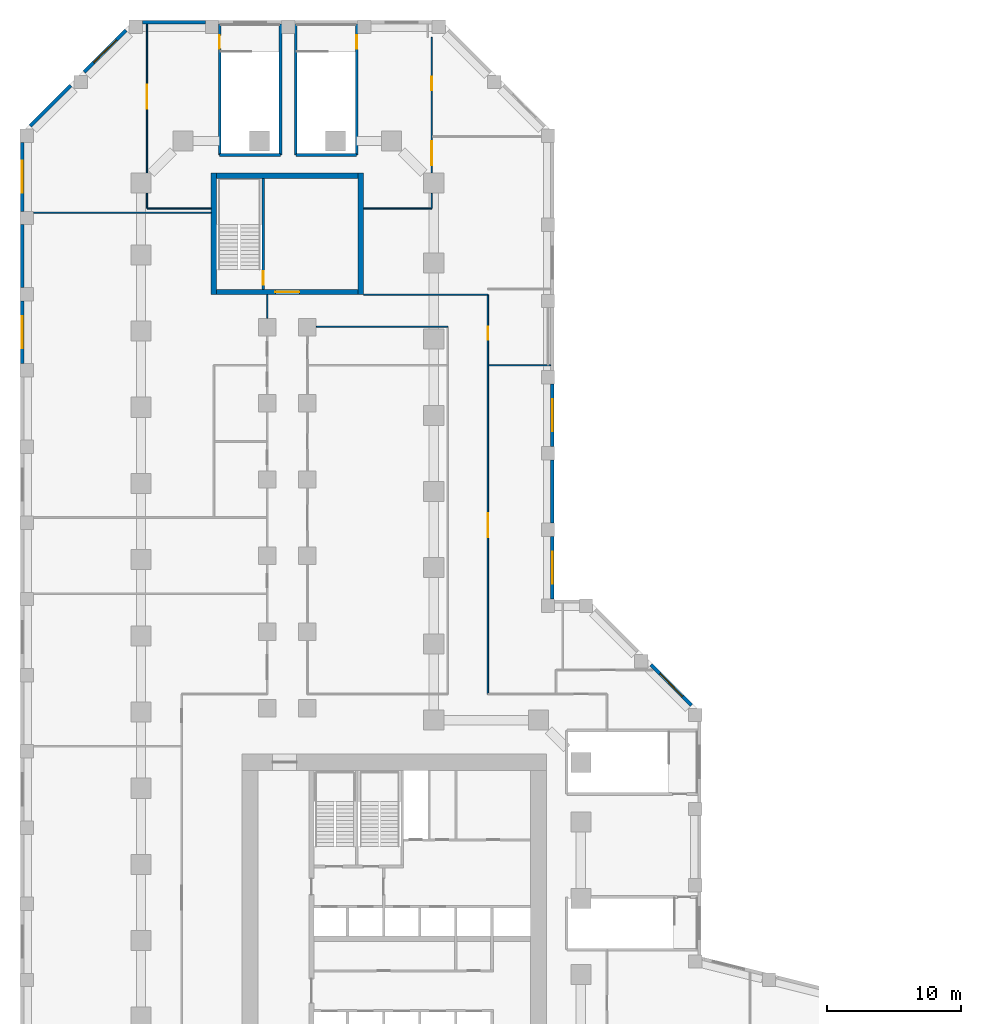
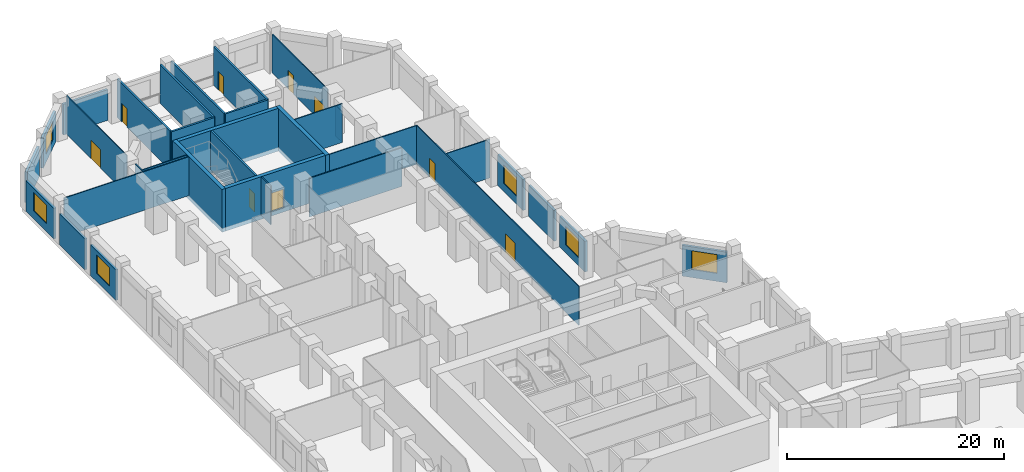
# One storey, part 10 of 13: 33 walls, 9 doors, 6 windows, 15 openings.
"""IFC4 building model written with IfcOpenShell, lengths in metres."""

from ifc_helpers import new_model, si_unit, direction, frame, frame_2d, origin, place, context, subcontext, project, spatial, rectangle, extrude, material, layer, layer_set, type_object, element, fill, save


model = new_model("IFC4")

# Units and contexts
model_context = context("Model", 3, precision=1e-05, world=origin(), true_north=direction((0.0, 1.0)))
body_context = subcontext(model_context, "Body", "Model", "MODEL_VIEW")
ifc_project = project(units=[si_unit("LENGTHUNIT", "METRE"), si_unit("AREAUNIT", "SQUARE_METRE"), si_unit("VOLUMEUNIT", "CUBIC_METRE"), si_unit("PLANEANGLEUNIT", "RADIAN"), si_unit("MASSUNIT", "GRAM", prefix="KILO")], contexts=[model_context])

# Site, building, storey
site_placement = place(None, origin())
site = spatial("IfcSite", under=ifc_project, at=site_placement, CompositionType="ELEMENT")
building_placement = place(site_placement, origin())
building = spatial("IfcBuilding", under=site, at=building_placement, Name="Meshkara Civic Tower", CompositionType="ELEMENT")
storey_placement = place(building_placement, frame((0.0, 0.0, 28.199951171875)))
storey = spatial("IfcBuildingStorey", under=building, at=storey_placement, Name="L05", CompositionType="ELEMENT", Elevation=28.199951171875)

# Walls
ifc_material_1 = material(Name="Corridor wall 100")
ifc_layer_1 = layer(ifc_material_1, 0.10009765625)
ifc_layer_set_1 = layer_set([ifc_layer_1], Name="Corridor wall 100")
wall_type_1 = type_object("IfcWallType", Name="Corridor wall 100", PredefinedType="PARTITIONING", material=ifc_layer_set_1)
wall_1_placement = place(storey_placement, frame((0.89990234375, 77.719970703125, 0.0), z_axis=(0.0, 0.0, 1.0), x_axis=(1.0, 0.0, 0.0)))
element("IfcWall", 1, at=wall_1_placement, inside=storey, type_object=wall_type_1, Name="L05-R002", PredefinedType="PARTITIONING", context=body_context, shape_type="SweptSolid", body=[
    extrude(rectangle(XDim=4.800048828125, YDim=0.10009765625, at=frame_2d((2.39990234375, 0.0))), origin(), (0.0, 0.0, 1.0), 4.35009765625),
])
wall_2_placement = place(storey_placement, frame((0.89990234375, 78.843994140625, 0.0), z_axis=(0.0, 0.0, 1.0), x_axis=(0.0, -1.0, 0.0)))
element("IfcWall", 2, at=wall_2_placement, inside=storey, type_object=wall_type_1, Name="L05-R003", PredefinedType="PARTITIONING", context=body_context, shape_type="SweptSolid", body=[
    extrude(rectangle(XDim=1.1240234375, YDim=0.10009765625, at=frame_2d((0.56201171875, 0.0))), origin(), (0.0, 0.0, 1.0), 4.35009765625),
])

# Wall, opening, door
wall_3_placement = place(storey_placement, frame((0.89990234375, 91.52001953125, 0.0), z_axis=(0.0, 0.0, 1.0), x_axis=(0.0, -1.0, 0.0)))
wall_3 = element("IfcWall", 3, at=wall_3_placement, inside=storey, type_object=wall_type_1, Name="L05-R004", PredefinedType="PARTITIONING", context=body_context, shape_type="SweptSolid", body=[
    extrude(rectangle(XDim=11.135986328125, YDim=0.10009765625, at=frame_2d((5.56787109375, 0.0))), origin(), (0.0, 0.0, 1.0), 4.35009765625),
])
opening_1_placement = place(wall_3_placement, frame((4.530029296875, 0.0, 0.0)))
opening_1 = element("IfcOpeningElement", 4, at=opening_1_placement, cuts=wall_3, Name="Opening L05-P040", PredefinedType="OPENING", context=body_context, shape_type="SweptSolid", body=[
    extrude(rectangle(XDim=1.800048828125, YDim=2.10009765625, at=frame_2d((0.89990234375, 1.050048828125))), frame((0.0, 0.06005859375, 0.0), z_axis=(0.0, -1.0, 0.0), x_axis=(1.0, 0.0, 0.0)), (0.0, 0.0, 1.0), 0.1201171875),
])
ifc_material_2 = material(Name="Door pair 1800 x 2100")
door_type_1 = type_object("IfcDoorType", Name="Door pair 1800 x 2100", OperationType="SINGLE_SWING_LEFT", PredefinedType="DOOR", material=ifc_material_2)
door_1_placement = place(opening_1_placement, origin())
door_1 = element("IfcDoor", 5, at=door_1_placement, inside=storey, type_object=door_type_1, Name="L05-P040", OperationType="DOUBLE_DOOR_SINGLE_SWING", OverallHeight=2.10009765625, OverallWidth=1.800048828125, PredefinedType="DOOR", context=body_context, shape_type="SweptSolid", body=[
    extrude(rectangle(XDim=1.800048828125, YDim=2.10009765625, at=frame_2d((0.89990234375, 1.050048828125))), frame((0.0, 0.02490234375, 0.0), z_axis=(0.0, -1.0, 0.0), x_axis=(1.0, 0.0, 0.0)), (0.0, 0.0, 1.0), 0.050048828125),
])
fill(opening_1, door_1)

# Walls
wall_4_placement = place(storey_placement, frame((9.89990234375, 71.27001953125, 0.0), z_axis=(0.0, 0.0, 1.0), x_axis=(0.0, -1.0, 0.0)))
element("IfcWall", 6, at=wall_4_placement, inside=storey, type_object=wall_type_1, Name="L05-R017", PredefinedType="PARTITIONING", context=body_context, shape_type="SweptSolid", body=[
    extrude(rectangle(XDim=1.75, YDim=0.10009765625, at=frame_2d((0.875, 0.0))), origin(), (0.0, 0.0, 1.0), 4.35009765625),
])
wall_5_placement = place(storey_placement, frame((13.570068359375, 68.8701171875, 0.0), z_axis=(0.0, 0.0, 1.0), x_axis=(1.0, 0.0, 0.0)))
element("IfcWall", 7, at=wall_5_placement, inside=storey, type_object=wall_type_1, Name="L05-R028", PredefinedType="PARTITIONING", context=body_context, shape_type="SweptSolid", body=[
    extrude(rectangle(XDim=9.829833984375, YDim=0.10009765625, at=frame_2d((4.9150390625, 0.0))), origin(), (0.0, 0.0, 1.0), 4.35009765625),
])
wall_6_placement = place(storey_placement, frame((17.10009765625, 77.719970703125, 0.0), z_axis=(0.0, 0.0, 1.0), x_axis=(1.0, 0.0, 0.0)))
element("IfcWall", 8, at=wall_6_placement, inside=storey, type_object=wall_type_1, Name="L05-R031", PredefinedType="PARTITIONING", context=body_context, shape_type="SweptSolid", body=[
    extrude(rectangle(XDim=5.099853515625, YDim=0.10009765625, at=frame_2d((2.5498046875, 0.0))), origin(), (0.0, 0.0, 1.0), 4.35009765625),
])
wall_7_placement = place(storey_placement, frame((22.199951171875, 77.719970703125, 0.0), z_axis=(0.0, 0.0, 1.0), x_axis=(0.0, 1.0, 0.0)))
element("IfcWall", 9, at=wall_7_placement, inside=storey, type_object=wall_type_1, Name="L05-R034", PredefinedType="PARTITIONING", context=body_context, shape_type="SweptSolid", body=[
    extrude(rectangle(XDim=1.1240234375, YDim=0.10009765625, at=frame_2d((0.56201171875, 0.0))), origin(), (0.0, 0.0, 1.0), 3.449951171875),
])

# Wall, openings, doors
wall_8_placement = place(storey_placement, frame((22.199951171875, 80.384033203125, 0.0), z_axis=(0.0, 0.0, 1.0), x_axis=(0.0, 1.0, 0.0)))
wall_8 = element("IfcWall", 10, at=wall_8_placement, inside=storey, type_object=wall_type_1, Name="L05-R035", PredefinedType="PARTITIONING", context=body_context, shape_type="SweptSolid", body=[
    extrude(rectangle(XDim=10.135986328125, YDim=0.10009765625, at=frame_2d((5.06787109375, 0.0))), origin(), (0.0, 0.0, 1.0), 4.35009765625),
])
opening_2_placement = place(wall_8_placement, frame((0.580078125, 0.0, 0.0)))
opening_2 = element("IfcOpeningElement", 11, at=opening_2_placement, cuts=wall_8, Name="Opening L05-P039", PredefinedType="OPENING", context=body_context, shape_type="SweptSolid", body=[
    extrude(rectangle(XDim=1.800048828125, YDim=2.10009765625, at=frame_2d((0.89990234375, 1.050048828125))), frame((0.0, 0.06005859375, 0.0), z_axis=(0.0, -1.0, 0.0), x_axis=(1.0, 0.0, 0.0)), (0.0, 0.0, 1.0), 0.1201171875),
])
opening_3_placement = place(wall_8_placement, frame((6.196044921875, 0.0, 0.0)))
opening_3 = element("IfcOpeningElement", 12, at=opening_3_placement, cuts=wall_8, Name="Opening L05-P041", PredefinedType="OPENING", context=body_context, shape_type="SweptSolid", body=[
    extrude(rectangle(XDim=1.0, YDim=2.10009765625, at=frame_2d((0.5, 1.050048828125))), frame((0.0, 0.06005859375, 0.0), z_axis=(0.0, -1.0, 0.0), x_axis=(1.0, 0.0, 0.0)), (0.0, 0.0, 1.0), 0.1201171875),
])
ifc_material_3 = material(Name="Door 1000 x 2100")
door_type_2 = type_object("IfcDoorType", Name="Door 1000 x 2100", OperationType="SINGLE_SWING_LEFT", PredefinedType="DOOR", material=ifc_material_3)
door_2_placement = place(opening_3_placement, origin())
door_2 = element("IfcDoor", 13, at=door_2_placement, inside=storey, type_object=door_type_2, Name="L05-P041", OperationType="SINGLE_SWING_RIGHT", OverallHeight=2.10009765625, OverallWidth=1.0, PredefinedType="DOOR", context=body_context, shape_type="SweptSolid", body=[
    extrude(rectangle(XDim=1.0, YDim=2.10009765625, at=frame_2d((0.5, 1.050048828125))), frame((0.0, 0.02490234375, 0.0), z_axis=(0.0, -1.0, 0.0), x_axis=(1.0, 0.0, 0.0)), (0.0, 0.0, 1.0), 0.050048828125),
])
fill(opening_3, door_2)
door_3_placement = place(opening_2_placement, origin())
door_3 = element("IfcDoor", 14, at=door_3_placement, inside=storey, type_object=door_type_1, Name="L05-P039", OperationType="DOUBLE_DOOR_SINGLE_SWING", OverallHeight=2.10009765625, OverallWidth=1.800048828125, PredefinedType="DOOR", context=body_context, shape_type="SweptSolid", body=[
    extrude(rectangle(XDim=1.800048828125, YDim=2.10009765625, at=frame_2d((0.89990234375, 1.050048828125))), frame((0.0, 0.02490234375, 0.0), z_axis=(0.0, -1.0, 0.0), x_axis=(1.0, 0.0, 0.0)), (0.0, 0.0, 1.0), 0.050048828125),
])
fill(opening_2, door_3)

# Wall
wall_9_placement = place(storey_placement, frame((26.39990234375, 71.27001953125, 0.0), z_axis=(0.0, 0.0, 1.0), x_axis=(-1.0, 0.0, 0.0)))
element("IfcWall", 15, at=wall_9_placement, inside=storey, type_object=wall_type_1, Name="L05-R040", PredefinedType="PARTITIONING", context=body_context, shape_type="SweptSolid", body=[
    extrude(rectangle(XDim=9.2998046875, YDim=0.10009765625, at=frame_2d((4.64990234375, 0.0))), origin(), (0.0, 0.0, 1.0), 4.35009765625),
])

# Wall, openings, doors
wall_10_placement = place(storey_placement, frame((26.39990234375, 71.27001953125, 0.0), z_axis=(0.0, 0.0, 1.0), x_axis=(0.0, -1.0, 0.0)))
wall_10 = element("IfcWall", 16, at=wall_10_placement, inside=storey, type_object=wall_type_1, Name="L05-R041", PredefinedType="PARTITIONING", context=body_context, shape_type="SweptSolid", body=[
    extrude(rectangle(XDim=29.8701171875, YDim=0.10009765625, at=frame_2d((14.93505859375, 0.0))), origin(), (0.0, 0.0, 1.0), 4.35009765625),
])
opening_4_placement = place(wall_10_placement, frame((16.35009765625, 0.0, 0.0)))
opening_4 = element("IfcOpeningElement", 17, at=opening_4_placement, cuts=wall_10, Name="Opening L05-P033", PredefinedType="OPENING", context=body_context, shape_type="SweptSolid", body=[
    extrude(rectangle(XDim=1.800048828125, YDim=2.10009765625, at=frame_2d((0.89990234375, 1.050048828125))), frame((0.0, 0.06005859375, 0.0), z_axis=(0.0, -1.0, 0.0), x_axis=(1.0, 0.0, 0.0)), (0.0, 0.0, 1.0), 0.1201171875),
])
opening_5_placement = place(wall_10_placement, frame((2.3798828125, 0.0, 0.0)))
opening_5 = element("IfcOpeningElement", 18, at=opening_5_placement, cuts=wall_10, Name="Opening L05-P038", PredefinedType="OPENING", context=body_context, shape_type="SweptSolid", body=[
    extrude(rectangle(XDim=1.0, YDim=2.10009765625, at=frame_2d((0.5, 1.050048828125))), frame((0.0, 0.06005859375, 0.0), z_axis=(0.0, -1.0, 0.0), x_axis=(1.0, 0.0, 0.0)), (0.0, 0.0, 1.0), 0.1201171875),
])
door_4_placement = place(opening_5_placement, origin())
door_4 = element("IfcDoor", 19, at=door_4_placement, inside=storey, type_object=door_type_2, Name="L05-P038", OperationType="SINGLE_SWING_LEFT", OverallHeight=2.10009765625, OverallWidth=1.0, PredefinedType="DOOR", context=body_context, shape_type="SweptSolid", body=[
    extrude(rectangle(XDim=1.0, YDim=2.10009765625, at=frame_2d((0.5, 1.050048828125))), frame((0.0, 0.02490234375, 0.0), z_axis=(0.0, -1.0, 0.0), x_axis=(1.0, 0.0, 0.0)), (0.0, 0.0, 1.0), 0.050048828125),
])
fill(opening_5, door_4)
door_5_placement = place(opening_4_placement, origin())
door_5 = element("IfcDoor", 20, at=door_5_placement, inside=storey, type_object=door_type_1, Name="L05-P033", OperationType="DOUBLE_DOOR_SINGLE_SWING", OverallHeight=2.10009765625, OverallWidth=1.800048828125, PredefinedType="DOOR", context=body_context, shape_type="SweptSolid", body=[
    extrude(rectangle(XDim=1.800048828125, YDim=2.10009765625, at=frame_2d((0.89990234375, 1.050048828125))), frame((0.0, 0.02490234375, 0.0), z_axis=(0.0, -1.0, 0.0), x_axis=(1.0, 0.0, 0.0)), (0.0, 0.0, 1.0), 0.050048828125),
])
fill(opening_4, door_5)

# Walls
ifc_material_4 = material(Name="Concrete C80", Category="concrete")
ifc_layer_2 = layer(ifc_material_4, 0.39990234375)
ifc_layer_set_2 = layer_set([ifc_layer_2], Name="End core ring wall 400 C80")
wall_type_2 = type_object("IfcWallType", Name="End core ring wall 400 C80", PredefinedType="SHEAR", material=ifc_layer_set_2)
for number, where, z_axis, x_axis, name in (
    (21, (5.89990234375, 71.27001953125, -0.449951171875), (0.0, 0.0, 1.0), (0.0, 1.0, 0.0), "L05-C026"),
    (22, (16.89990234375, 71.27001953125, -0.449951171875), (0.0, 0.0, 1.0), (0.0, 1.0, 0.0), "L05-C027"),
):
    element("IfcWall", number, at=place(storey_placement, frame(where, z_axis=z_axis, x_axis=x_axis)), inside=storey, type_object=wall_type_2, Name=name, PredefinedType="SHEAR", context=body_context, shape_type="SweptSolid", body=[
        extrude(rectangle(XDim=9.10009765625, YDim=0.39990234375, at=frame_2d((4.550048828125, 0.0))), origin(), (0.0, 0.0, 1.0), 4.800048828125),
    ])

# Wall, opening, door
wall_11_placement = place(storey_placement, frame((6.10009765625, 71.469970703125, -0.449951171875), z_axis=(0.0, 0.0, 1.0), x_axis=(1.0, 0.0, 0.0)))
wall_11 = element("IfcWall", 23, at=wall_11_placement, inside=storey, type_object=wall_type_2, Name="L05-C028", PredefinedType="SHEAR", context=body_context, shape_type="SweptSolid", body=[
    extrude(rectangle(XDim=10.599853515625, YDim=0.39990234375, at=frame_2d((5.2998046875, 0.0))), origin(), (0.0, 0.0, 1.0), 4.800048828125),
])
opening_6_placement = place(wall_11_placement, frame((4.39990234375, 0.0, 0.449951171875)))
opening_6 = element("IfcOpeningElement", 24, at=opening_6_placement, cuts=wall_11, Name="Opening L05-K102", PredefinedType="OPENING", context=body_context, shape_type="SweptSolid", body=[
    extrude(rectangle(XDim=1.800048828125, YDim=2.10009765625, at=frame_2d((0.89990234375, 1.050048828125))), frame((0.0, 0.2099609375, 0.0), z_axis=(0.0, -1.0, 0.0), x_axis=(1.0, 0.0, 0.0)), (0.0, 0.0, 1.0), 0.419921875),
])
ifc_material_5 = material(Name="Fire-rated door leaf in steel frame", Category="steel")
door_type_3 = type_object("IfcDoorType", Name="Core double door 1800 EI 60", OperationType="DOUBLE_DOOR_SINGLE_SWING", PredefinedType="DOOR", material=ifc_material_5)
door_6_placement = place(opening_6_placement, origin())
door_6 = element("IfcDoor", 25, at=door_6_placement, inside=storey, type_object=door_type_3, Name="L05-K102", OperationType="DOUBLE_DOOR_SINGLE_SWING", OverallHeight=2.10009765625, OverallWidth=1.800048828125, PredefinedType="DOOR", context=body_context, shape_type="SweptSolid", body=[
    extrude(rectangle(XDim=1.800048828125, YDim=2.10009765625, at=frame_2d((0.89990234375, 1.050048828125))), frame((0.0, 0.02490234375, 0.0), z_axis=(0.0, -1.0, 0.0), x_axis=(1.0, 0.0, 0.0)), (0.0, 0.0, 1.0), 0.050048828125),
])
fill(opening_6, door_6)

# Walls
wall_12_placement = place(storey_placement, frame((6.10009765625, 80.169921875, -0.449951171875), z_axis=(0.0, 0.0, 1.0), x_axis=(1.0, 0.0, 0.0)))
element("IfcWall", 26, at=wall_12_placement, inside=storey, type_object=wall_type_2, Name="L05-C029", PredefinedType="SHEAR", context=body_context, shape_type="SweptSolid", body=[
    extrude(rectangle(XDim=10.599853515625, YDim=0.39990234375, at=frame_2d((5.2998046875, 0.0))), origin(), (0.0, 0.0, 1.0), 4.800048828125),
])
ifc_material_6 = material(Name="Stone cladding on insulated backing wall", Category="masonry")
ifc_layer_3 = layer(ifc_material_6, 0.25)
ifc_layer_set_3 = layer_set([ifc_layer_3], Name="PODIUM STONE WALL 250")
wall_type_3 = type_object("IfcWallType", Name="PODIUM STONE WALL 250", PredefinedType="SOLIDWALL", material=ifc_layer_set_3)
wall_13_placement = place(storey_placement, frame((5.263916015625, 91.64501953125, 0.0), z_axis=(0.0, 0.0, 1.0), x_axis=(-1.0, 0.0, 0.0)))
element("IfcWall", 27, at=wall_13_placement, inside=storey, type_object=wall_type_3, Name="Podium external wall", PredefinedType="SOLIDWALL", context=body_context, shape_type="SweptSolid", body=[
    extrude(rectangle(XDim=4.699951171875, YDim=0.25, at=frame_2d((2.35009765625, 0.0))), origin(), (0.0, 0.0, 1.0), 3.449951171875),
])

# Wall, opening, window
wall_14_placement = place(storey_placement, frame((-0.666015625, 91.050048828125, 0.0), z_axis=(0.0, 0.0, 1.0), x_axis=(-0.707106781187, -0.707106781187, 0.0)))
wall_14 = element("IfcWall", 28, at=wall_14_placement, inside=storey, type_object=wall_type_3, Name="Podium external wall", PredefinedType="SOLIDWALL", context=body_context, shape_type="SweptSolid", body=[
    extrude(rectangle(XDim=4.430908203125, YDim=0.25, at=frame_2d((2.21533203125, 0.0))), origin(), (0.0, 0.0, 1.0), 3.449951171875),
])
opening_7_placement = place(wall_14_placement, frame((1.014892578125, 0.0, 0.89990234375)))
opening_7 = element("IfcOpeningElement", 29, at=opening_7_placement, cuts=wall_14, Name="Opening PW10", PredefinedType="OPENING", context=body_context, shape_type="SweptSolid", body=[
    extrude(rectangle(XDim=2.39990234375, YDim=2.10009765625, at=frame_2d((1.199951171875, 1.050048828125))), frame((0.0, 0.135009765625, 0.0), z_axis=(0.0, -1.0, 0.0), x_axis=(1.0, 0.0, 0.0)), (0.0, 0.0, 1.0), 0.27001953125),
])
ifc_material_7 = material(Name="Tinted double glazing", Category="glass")
window_type = type_object("IfcWindowType", Name="PODIUM WINDOW 2400x2100", PartitioningType="DOUBLE_PANEL_VERTICAL", PredefinedType="WINDOW", material=ifc_material_7)
window_1_placement = place(opening_7_placement, origin())
window_1 = element("IfcWindow", 30, at=window_1_placement, inside=storey, type_object=window_type, Name="Podium window", OverallHeight=2.10009765625, OverallWidth=2.39990234375, PartitioningType="DOUBLE_PANEL_VERTICAL", PredefinedType="WINDOW", context=body_context, shape_type="SweptSolid", body=[
    extrude(rectangle(XDim=2.39990234375, YDim=2.10009765625, at=frame_2d((1.199951171875, 1.050048828125))), frame((0.0, 0.030029296875, 0.0), z_axis=(0.0, -1.0, 0.0), x_axis=(1.0, 0.0, 0.0)), (0.0, 0.0, 1.0), 0.06005859375),
])
fill(opening_7, window_1)

# Wall
wall_15_placement = place(storey_placement, frame((-4.799072265625, 86.9169921875, 0.0), z_axis=(0.0, 0.0, 1.0), x_axis=(-0.707106781187, -0.707106781187, 0.0)))
element("IfcWall", 31, at=wall_15_placement, inside=storey, type_object=wall_type_3, Name="Podium external wall", PredefinedType="SOLIDWALL", context=body_context, shape_type="SweptSolid", body=[
    extrude(rectangle(XDim=4.286376953125, YDim=0.25, at=frame_2d((2.14306640625, 0.0))), origin(), (0.0, 0.0, 1.0), 3.449951171875),
])

# Wall, opening, window
wall_16_placement = place(storey_placement, frame((-8.425048828125, 82.656005859375, 0.0), z_axis=(0.0, 0.0, 1.0), x_axis=(0.0, -1.0, 0.0)))
wall_16 = element("IfcWall", 32, at=wall_16_placement, inside=storey, type_object=wall_type_3, Name="Podium external wall", PredefinedType="SOLIDWALL", context=body_context, shape_type="SweptSolid", body=[
    extrude(rectangle(XDim=5.14501953125, YDim=0.25, at=frame_2d((2.572509765625, 0.0))), origin(), (0.0, 0.0, 1.0), 3.449951171875),
])
opening_8_placement = place(wall_16_placement, frame((1.373046875, 0.0, 0.89990234375)))
opening_8 = element("IfcOpeningElement", 33, at=opening_8_placement, cuts=wall_16, Name="Opening PW10", PredefinedType="OPENING", context=body_context, shape_type="SweptSolid", body=[
    extrude(rectangle(XDim=2.39990234375, YDim=2.10009765625, at=frame_2d((1.199951171875, 1.050048828125))), frame((0.0, 0.135009765625, 0.0), z_axis=(0.0, -1.0, 0.0), x_axis=(1.0, 0.0, 0.0)), (0.0, 0.0, 1.0), 0.27001953125),
])
window_2_placement = place(opening_8_placement, origin())
window_2 = element("IfcWindow", 34, at=window_2_placement, inside=storey, type_object=window_type, Name="Podium window", OverallHeight=2.10009765625, OverallWidth=2.39990234375, PartitioningType="DOUBLE_PANEL_VERTICAL", PredefinedType="WINDOW", context=body_context, shape_type="SweptSolid", body=[
    extrude(rectangle(XDim=2.39990234375, YDim=2.10009765625, at=frame_2d((1.199951171875, 1.050048828125))), frame((0.0, 0.030029296875, 0.0), z_axis=(0.0, -1.0, 0.0), x_axis=(1.0, 0.0, 0.0)), (0.0, 0.0, 1.0), 0.06005859375),
])
fill(opening_8, window_2)

# Wall
wall_17_placement = place(storey_placement, frame((-8.425048828125, 76.510986328125, 0.0), z_axis=(0.0, 0.0, 1.0), x_axis=(0.0, -1.0, 0.0)))
element("IfcWall", 35, at=wall_17_placement, inside=storey, type_object=wall_type_3, Name="Podium external wall", PredefinedType="SOLIDWALL", context=body_context, shape_type="SweptSolid", body=[
    extrude(rectangle(XDim=4.699951171875, YDim=0.25, at=frame_2d((2.35009765625, 0.0))), origin(), (0.0, 0.0, 1.0), 3.449951171875),
])

# Wall, opening, window
wall_18_placement = place(storey_placement, frame((-8.425048828125, 70.81103515625, 0.0), z_axis=(0.0, 0.0, 1.0), x_axis=(0.0, -1.0, 0.0)))
wall_18 = element("IfcWall", 36, at=wall_18_placement, inside=storey, type_object=wall_type_3, Name="Podium external wall", PredefinedType="SOLIDWALL", context=body_context, shape_type="SweptSolid", body=[
    extrude(rectangle(XDim=4.699951171875, YDim=0.25, at=frame_2d((2.35009765625, 0.0))), origin(), (0.0, 0.0, 1.0), 3.449951171875),
])
opening_9_placement = place(wall_18_placement, frame((1.14990234375, 0.0, 0.89990234375)))
opening_9 = element("IfcOpeningElement", 37, at=opening_9_placement, cuts=wall_18, Name="Opening PW10", PredefinedType="OPENING", context=body_context, shape_type="SweptSolid", body=[
    extrude(rectangle(XDim=2.39990234375, YDim=2.10009765625, at=frame_2d((1.199951171875, 1.050048828125))), frame((0.0, 0.135009765625, 0.0), z_axis=(0.0, -1.0, 0.0), x_axis=(1.0, 0.0, 0.0)), (0.0, 0.0, 1.0), 0.27001953125),
])
window_3_placement = place(opening_9_placement, origin())
window_3 = element("IfcWindow", 38, at=window_3_placement, inside=storey, type_object=window_type, Name="Podium window", OverallHeight=2.10009765625, OverallWidth=2.39990234375, PartitioningType="DOUBLE_PANEL_VERTICAL", PredefinedType="WINDOW", context=body_context, shape_type="SweptSolid", body=[
    extrude(rectangle(XDim=2.39990234375, YDim=2.10009765625, at=frame_2d((1.199951171875, 1.050048828125))), frame((0.0, 0.030029296875, 0.0), z_axis=(0.0, -1.0, 0.0), x_axis=(1.0, 0.0, 0.0)), (0.0, 0.0, 1.0), 0.06005859375),
])
fill(opening_9, window_3)

wall_19_placement = place(storey_placement, frame((41.6298828125, 40.56591796875, 0.0), z_axis=(0.0, 0.0, 1.0), x_axis=(-0.707078301545, 0.707135259681, 0.0)))
wall_19 = element("IfcWall", 39, at=wall_19_placement, inside=storey, type_object=wall_type_3, Name="Podium external wall", PredefinedType="SOLIDWALL", context=body_context, shape_type="SweptSolid", body=[
    extrude(rectangle(XDim=4.286376953125, YDim=0.25, at=frame_2d((2.14306640625, 0.0))), origin(), (0.0, 0.0, 1.0), 3.449951171875),
])
opening_10_placement = place(wall_19_placement, frame((0.943115234375, 0.0, 0.89990234375)))
opening_10 = element("IfcOpeningElement", 40, at=opening_10_placement, cuts=wall_19, Name="Opening PW10", PredefinedType="OPENING", context=body_context, shape_type="SweptSolid", body=[
    extrude(rectangle(XDim=2.39990234375, YDim=2.10009765625, at=frame_2d((1.199951171875, 1.050048828125))), frame((0.0, 0.135009765625, 0.0), z_axis=(0.0, -1.0, 0.0), x_axis=(1.0, 0.0, 0.0)), (0.0, 0.0, 1.0), 0.27001953125),
])
window_4_placement = place(opening_10_placement, origin())
window_4 = element("IfcWindow", 41, at=window_4_placement, inside=storey, type_object=window_type, Name="Podium window", OverallHeight=2.10009765625, OverallWidth=2.39990234375, PartitioningType="DOUBLE_PANEL_VERTICAL", PredefinedType="WINDOW", context=body_context, shape_type="SweptSolid", body=[
    extrude(rectangle(XDim=2.39990234375, YDim=2.10009765625, at=frame_2d((1.199951171875, 1.050048828125))), frame((0.0, 0.030029296875, 0.0), z_axis=(0.0, -1.0, 0.0), x_axis=(1.0, 0.0, 0.0)), (0.0, 0.0, 1.0), 0.06005859375),
])
fill(opening_10, window_4)

wall_20_placement = place(storey_placement, frame((31.22509765625, 48.5, 0.0), z_axis=(0.0, 0.0, 1.0), x_axis=(0.0, 1.0, 0.0)))
wall_20 = element("IfcWall", 42, at=wall_20_placement, inside=storey, type_object=wall_type_3, Name="Podium external wall", PredefinedType="SOLIDWALL", context=body_context, shape_type="SweptSolid", body=[
    extrude(rectangle(XDim=4.699951171875, YDim=0.25, at=frame_2d((2.35009765625, 0.0))), origin(), (0.0, 0.0, 1.0), 3.449951171875),
])
opening_11_placement = place(wall_20_placement, frame((1.14990234375, 0.0, 0.89990234375)))
opening_11 = element("IfcOpeningElement", 43, at=opening_11_placement, cuts=wall_20, Name="Opening PW10", PredefinedType="OPENING", context=body_context, shape_type="SweptSolid", body=[
    extrude(rectangle(XDim=2.39990234375, YDim=2.10009765625, at=frame_2d((1.199951171875, 1.050048828125))), frame((0.0, 0.135009765625, 0.0), z_axis=(0.0, -1.0, 0.0), x_axis=(1.0, 0.0, 0.0)), (0.0, 0.0, 1.0), 0.27001953125),
])
window_5_placement = place(opening_11_placement, origin())
window_5 = element("IfcWindow", 44, at=window_5_placement, inside=storey, type_object=window_type, Name="Podium window", OverallHeight=2.10009765625, OverallWidth=2.39990234375, PartitioningType="DOUBLE_PANEL_VERTICAL", PredefinedType="WINDOW", context=body_context, shape_type="SweptSolid", body=[
    extrude(rectangle(XDim=2.39990234375, YDim=2.10009765625, at=frame_2d((1.199951171875, 1.050048828125))), frame((0.0, 0.030029296875, 0.0), z_axis=(0.0, -1.0, 0.0), x_axis=(1.0, 0.0, 0.0)), (0.0, 0.0, 1.0), 0.06005859375),
])
fill(opening_11, window_5)

# Wall
wall_21_placement = place(storey_placement, frame((31.22509765625, 54.199951171875, 0.0), z_axis=(0.0, 0.0, 1.0), x_axis=(0.0, 1.0, 0.0)))
element("IfcWall", 45, at=wall_21_placement, inside=storey, type_object=wall_type_3, Name="Podium external wall", PredefinedType="SOLIDWALL", context=body_context, shape_type="SweptSolid", body=[
    extrude(rectangle(XDim=4.699951171875, YDim=0.25, at=frame_2d((2.35009765625, 0.0))), origin(), (0.0, 0.0, 1.0), 3.449951171875),
])

# Wall, opening, window
wall_22_placement = place(storey_placement, frame((31.22509765625, 59.89990234375, 0.0), z_axis=(0.0, 0.0, 1.0), x_axis=(0.0, 1.0, 0.0)))
wall_22 = element("IfcWall", 46, at=wall_22_placement, inside=storey, type_object=wall_type_3, Name="Podium external wall", PredefinedType="SOLIDWALL", context=body_context, shape_type="SweptSolid", body=[
    extrude(rectangle(XDim=4.7001953125, YDim=0.25, at=frame_2d((2.35009765625, 0.0))), origin(), (0.0, 0.0, 1.0), 3.449951171875),
])
opening_12_placement = place(wall_22_placement, frame((1.14990234375, 0.0, 0.89990234375)))
opening_12 = element("IfcOpeningElement", 47, at=opening_12_placement, cuts=wall_22, Name="Opening PW10", PredefinedType="OPENING", context=body_context, shape_type="SweptSolid", body=[
    extrude(rectangle(XDim=2.39990234375, YDim=2.10009765625, at=frame_2d((1.199951171875, 1.050048828125))), frame((0.0, 0.135009765625, 0.0), z_axis=(0.0, -1.0, 0.0), x_axis=(1.0, 0.0, 0.0)), (0.0, 0.0, 1.0), 0.27001953125),
])
window_6_placement = place(opening_12_placement, origin())
window_6 = element("IfcWindow", 48, at=window_6_placement, inside=storey, type_object=window_type, Name="Podium window", OverallHeight=2.10009765625, OverallWidth=2.39990234375, PartitioningType="DOUBLE_PANEL_VERTICAL", PredefinedType="WINDOW", context=body_context, shape_type="SweptSolid", body=[
    extrude(rectangle(XDim=2.39990234375, YDim=2.10009765625, at=frame_2d((1.199951171875, 1.050048828125))), frame((0.0, 0.030029296875, 0.0), z_axis=(0.0, -1.0, 0.0), x_axis=(1.0, 0.0, 0.0)), (0.0, 0.0, 1.0), 0.06005859375),
])
fill(opening_12, window_6)

# Walls
ifc_material_8 = material(Name="Partition 100")
ifc_layer_4 = layer(ifc_material_8, 0.10009765625)
ifc_layer_set_4 = layer_set([ifc_layer_4], Name="Partition 100")
wall_type_4 = type_object("IfcWallType", Name="Partition 100", PredefinedType="PARTITIONING", material=ifc_layer_set_4)
wall_23_placement = place(storey_placement, frame((5.699951171875, 77.39990234375, 0.0), z_axis=(0.0, 0.0, 1.0), x_axis=(-1.0, 0.0, 0.0)))
element("IfcWall", 49, at=wall_23_placement, inside=storey, type_object=wall_type_4, Name="L05-R084", PredefinedType="PARTITIONING", context=body_context, shape_type="SweptSolid", body=[
    extrude(rectangle(XDim=13.280029296875, YDim=0.10009765625, at=frame_2d((6.64013671875, 0.0))), origin(), (0.0, 0.0, 1.0), 4.35009765625),
])
wall_24_placement = place(storey_placement, frame((31.10009765625, 66.0, 0.0), z_axis=(0.0, 0.0, 1.0), x_axis=(-1.0, 0.0, 0.0)))
element("IfcWall", 50, at=wall_24_placement, inside=storey, type_object=wall_type_4, Name="L05-R093", PredefinedType="PARTITIONING", context=body_context, shape_type="SweptSolid", body=[
    extrude(rectangle(XDim=4.650146484375, YDim=0.10009765625, at=frame_2d((2.3251953125, 0.0))), origin(), (0.0, 0.0, 1.0), 4.35009765625),
])

# Wall, opening, door
ifc_material_9 = material(Name="Concrete C40/50", Category="concrete")
ifc_layer_5 = layer(ifc_material_9, 0.199951171875)
ifc_layer_set_5 = layer_set([ifc_layer_5], Name="Stair enclosure wall 200 C40/50")
wall_type_5 = type_object("IfcWallType", Name="Stair enclosure wall 200 C40/50", PredefinedType="SOLIDWALL", material=ifc_layer_set_5)
wall_25_placement = place(storey_placement, frame((9.60009765625, 71.669921875, 0.0), z_axis=(0.0, 0.0, 1.0), x_axis=(0.0, 1.0, 0.0)))
wall_25 = element("IfcWall", 51, at=wall_25_placement, inside=storey, type_object=wall_type_5, Name="L05-C030", PredefinedType="SOLIDWALL", context=body_context, shape_type="SweptSolid", body=[
    extrude(rectangle(XDim=8.300048828125, YDim=0.199951171875, at=frame_2d((4.14990234375, 0.0))), origin(), (0.0, 0.0, 1.0), 4.35009765625),
])
opening_13_placement = place(wall_25_placement, frame((0.35009765625, 0.0, 0.0)))
opening_13 = element("IfcOpeningElement", 52, at=opening_13_placement, cuts=wall_25, Name="Opening L05-K101", PredefinedType="OPENING", context=body_context, shape_type="SweptSolid", body=[
    extrude(rectangle(XDim=1.0, YDim=2.10009765625, at=frame_2d((0.5, 1.050048828125))), frame((0.0, 0.10986328125, 0.0), z_axis=(0.0, -1.0, 0.0), x_axis=(1.0, 0.0, 0.0)), (0.0, 0.0, 1.0), 0.219970703125),
])
ifc_material_10 = material(Name="Fire-rated door leaf in steel frame", Category="steel")
door_type_4 = type_object("IfcDoorType", Name="Stair door 1000 EI 120", OperationType="SINGLE_SWING_LEFT", PredefinedType="DOOR", material=ifc_material_10)
door_7_placement = place(opening_13_placement, origin())
door_7 = element("IfcDoor", 53, at=door_7_placement, inside=storey, type_object=door_type_4, Name="L05-K101", OperationType="SINGLE_SWING_RIGHT", OverallHeight=2.10009765625, OverallWidth=1.0, PredefinedType="DOOR", context=body_context, shape_type="SweptSolid", body=[
    extrude(rectangle(XDim=1.0, YDim=2.10009765625, at=frame_2d((0.5, 1.050048828125))), frame((0.0, 0.02490234375, 0.0), z_axis=(0.0, -1.0, 0.0), x_axis=(1.0, 0.0, 0.0)), (0.0, 0.0, 1.0), 0.050048828125),
])
fill(opening_13, door_7)

wall_26_placement = place(storey_placement, frame((6.3349609375, 81.719970703125, 0.0), z_axis=(0.0, 0.0, 1.0), x_axis=(0.0, 1.0, 0.0)))
wall_26 = element("IfcWall", 54, at=wall_26_placement, inside=storey, type_object=wall_type_5, Name="L05-R009", PredefinedType="SOLIDWALL", context=body_context, shape_type="SweptSolid", body=[
    extrude(rectangle(XDim=9.800048828125, YDim=0.199951171875, at=frame_2d((4.89990234375, 0.0))), origin(), (0.0, 0.0, 1.0), 4.35009765625),
])
opening_14_placement = place(wall_26_placement, frame((7.949951171875, 0.0, 0.0)))
opening_14 = element("IfcOpeningElement", 55, at=opening_14_placement, cuts=wall_26, Name="Opening L05-P042", PredefinedType="OPENING", context=body_context, shape_type="SweptSolid", body=[
    extrude(rectangle(XDim=1.0, YDim=2.10009765625, at=frame_2d((0.5, 1.050048828125))), frame((0.0, 0.10986328125, 0.0), z_axis=(0.0, -1.0, 0.0), x_axis=(1.0, 0.0, 0.0)), (0.0, 0.0, 1.0), 0.219970703125),
])
door_8_placement = place(opening_14_placement, origin())
door_8 = element("IfcDoor", 56, at=door_8_placement, inside=storey, type_object=door_type_2, Name="L05-P042", OperationType="SINGLE_SWING_LEFT", OverallHeight=2.10009765625, OverallWidth=1.0, PredefinedType="DOOR", context=body_context, shape_type="SweptSolid", body=[
    extrude(rectangle(XDim=1.0, YDim=2.10009765625, at=frame_2d((0.5, 1.050048828125))), frame((0.0, 0.02490234375, 0.0), z_axis=(0.0, -1.0, 0.0), x_axis=(1.0, 0.0, 0.0)), (0.0, 0.0, 1.0), 0.050048828125),
])
fill(opening_14, door_8)

# Walls
wall_27_placement = place(storey_placement, frame((10.885009765625, 81.719970703125, 0.0), z_axis=(0.0, 0.0, 1.0), x_axis=(-1.0, 0.0, 0.0)))
element("IfcWall", 57, at=wall_27_placement, inside=storey, type_object=wall_type_5, Name="L05-R019", PredefinedType="SOLIDWALL", context=body_context, shape_type="SweptSolid", body=[
    extrude(rectangle(XDim=4.550048828125, YDim=0.199951171875, at=frame_2d((2.27490234375, 0.0))), origin(), (0.0, 0.0, 1.0), 4.35009765625),
])
for number, where, z_axis, x_axis, name in (
    (58, (10.885009765625, 91.52001953125, 0.0), (0.0, 0.0, 1.0), (0.0, -1.0, 0.0), "L05-R020"),
    (59, (12.034912109375, 81.719970703125, 0.0), (0.0, 0.0, 1.0), (0.0, 1.0, 0.0), "L05-R022"),
):
    element("IfcWall", number, at=place(storey_placement, frame(where, z_axis=z_axis, x_axis=x_axis)), inside=storey, type_object=wall_type_5, Name=name, PredefinedType="SOLIDWALL", context=body_context, shape_type="SweptSolid", body=[
        extrude(rectangle(XDim=9.800048828125, YDim=0.199951171875, at=frame_2d((4.89990234375, 0.0))), origin(), (0.0, 0.0, 1.0), 4.35009765625),
    ])
wall_28_placement = place(storey_placement, frame((16.5849609375, 81.719970703125, 0.0), z_axis=(0.0, 0.0, 1.0), x_axis=(-1.0, 0.0, 0.0)))
element("IfcWall", 60, at=wall_28_placement, inside=storey, type_object=wall_type_5, Name="L05-R029", PredefinedType="SOLIDWALL", context=body_context, shape_type="SweptSolid", body=[
    extrude(rectangle(XDim=4.550048828125, YDim=0.199951171875, at=frame_2d((2.27490234375, 0.0))), origin(), (0.0, 0.0, 1.0), 4.35009765625),
])

# Wall, opening, door
wall_29_placement = place(storey_placement, frame((16.5849609375, 91.52001953125, 0.0), z_axis=(0.0, 0.0, 1.0), x_axis=(0.0, -1.0, 0.0)))
wall_29 = element("IfcWall", 61, at=wall_29_placement, inside=storey, type_object=wall_type_5, Name="L05-R030", PredefinedType="SOLIDWALL", context=body_context, shape_type="SweptSolid", body=[
    extrude(rectangle(XDim=9.800048828125, YDim=0.199951171875, at=frame_2d((4.89990234375, 0.0))), origin(), (0.0, 0.0, 1.0), 4.35009765625),
])
opening_15_placement = place(wall_29_placement, frame((0.85009765625, 0.0, 0.0)))
opening_15 = element("IfcOpeningElement", 62, at=opening_15_placement, cuts=wall_29, Name="Opening L05-P043", PredefinedType="OPENING", context=body_context, shape_type="SweptSolid", body=[
    extrude(rectangle(XDim=1.0, YDim=2.10009765625, at=frame_2d((0.5, 1.050048828125))), frame((0.0, 0.10986328125, 0.0), z_axis=(0.0, -1.0, 0.0), x_axis=(1.0, 0.0, 0.0)), (0.0, 0.0, 1.0), 0.219970703125),
])
door_9_placement = place(opening_15_placement, origin())
door_9 = element("IfcDoor", 63, at=door_9_placement, inside=storey, type_object=door_type_2, Name="L05-P043", OperationType="SINGLE_SWING_LEFT", OverallHeight=2.10009765625, OverallWidth=1.0, PredefinedType="DOOR", context=body_context, shape_type="SweptSolid", body=[
    extrude(rectangle(XDim=1.0, YDim=2.10009765625, at=frame_2d((0.5, 1.050048828125))), frame((0.0, 0.02490234375, 0.0), z_axis=(0.0, -1.0, 0.0), x_axis=(1.0, 0.0, 0.0)), (0.0, 0.0, 1.0), 0.050048828125),
])
fill(opening_15, door_9)

save(model, "model.ifc")
